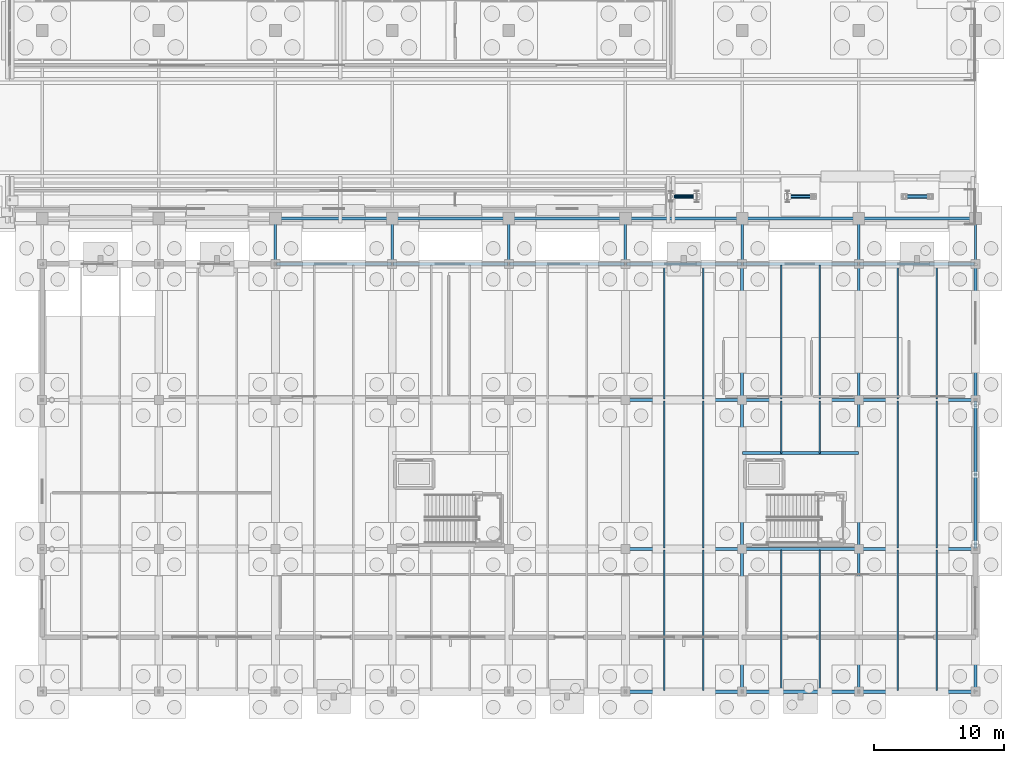
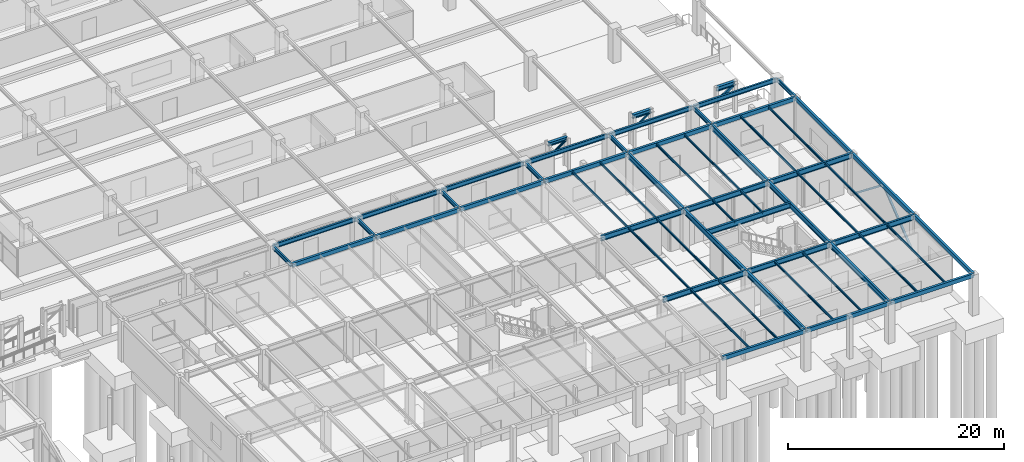
# One storey, part 84 of 160: 59 beams, 5 members.
"""IFC4 building model written with IfcOpenShell, lengths in metres."""

from ifc_helpers import new_model, si_unit, direction, frame, origin, origin_2d, place, context, subcontext, project, spatial, hollow_rectangle, hollow_circle, i_section, extrude, material, material_profile, profile_set, type_object, element, save


model = new_model("IFC4")

# Units and contexts
model_context = context("Model", 3, precision=1e-05, world=origin(), true_north=direction((0.0, 1.0)))
body_context = subcontext(model_context, "Body", "Model", "MODEL_VIEW")
ifc_project = project(units=[si_unit("LENGTHUNIT", "METRE"), si_unit("AREAUNIT", "SQUARE_METRE"), si_unit("VOLUMEUNIT", "CUBIC_METRE"), si_unit("PLANEANGLEUNIT", "RADIAN"), si_unit("MASSUNIT", "GRAM", prefix="KILO")], contexts=[model_context])

# Site, building, storey
site_placement = place(None, origin())
site = spatial("IfcSite", under=ifc_project, at=site_placement, CompositionType="ELEMENT")
building_placement = place(site_placement, origin())
building = spatial("IfcBuilding", under=site, at=building_placement, Name="Marlcrest Central Station", CompositionType="ELEMENT")
storey_placement = place(building_placement, origin())
storey = spatial("IfcBuildingStorey", under=building, at=storey_placement, Name="L00", CompositionType="ELEMENT", Elevation=0.0)

# Members
ifc_material = material(Name="Steel S355", Category="steel")
ifc_material_profile_1 = material_profile(ifc_material, hollow_rectangle(XDim=0.199951171875, YDim=0.199951171875, WallThickness=0.010009765625, at=origin_2d()), Name="SHS 200x200x10")
ifc_profile_set_1 = profile_set([ifc_material_profile_1], Name="Steel S355")
member_type_1 = type_object("IfcMemberType", Name="BF-01", PredefinedType="BRACE", material=ifc_profile_set_1)
for number, where, z_axis, x_axis, name in (
    (1, (216.0, 11.39990234375, 0.199951171875), (0.0, 0.786216241749, 0.617951471565), (-1.0, 0.0, 0.0), "mem-BF-01-L00-00013"),
    (2, (216.0, 22.10009765625, 0.199951171875), (0.0, -0.786216241749, 0.617951471565), (1.0, 0.0, 0.0), "mem-BF-01-L00-00014"),
):
    element("IfcMember", number, at=place(storey_placement, frame(where, z_axis=z_axis, x_axis=x_axis)), inside=storey, type_object=member_type_1, Name=name, PredefinedType="BRACE", context=body_context, shape_type="SweptSolid", body=[
        extrude(hollow_rectangle(XDim=0.199951171875, YDim=0.199951171875, WallThickness=0.010009765625, at=origin_2d()), origin(), (0.0, 0.0, 1.0), 6.804931640625),
    ])
ifc_material_profile_2 = material_profile(ifc_material, hollow_rectangle(XDim=0.14990234375, YDim=0.14990234375, WallThickness=0.008056640625, at=origin_2d()), Name="SHS 150x150x8")
ifc_profile_set_2 = profile_set([ifc_material_profile_2], Name="Steel S355")
member_type_2 = type_object("IfcMemberType", Name="BF-05", PredefinedType="BRACE", material=ifc_profile_set_2)
member_1_placement = place(storey_placement, frame((201.5, 38.199951171875, 2.699951171875), z_axis=(0.819203731481, 0.0, 0.57350261231), x_axis=(0.0, 1.0, 0.0)))
element("IfcMember", 3, at=member_1_placement, inside=storey, type_object=member_type_2, Name="mem-BF-05-L00-02558", PredefinedType="BRACE", context=body_context, shape_type="SweptSolid", body=[
    extrude(hollow_rectangle(XDim=0.14990234375, YDim=0.14990234375, WallThickness=0.008056640625, at=origin_2d()), origin(), (0.0, 0.0, 1.0), 2.44140625),
])
ifc_material_profile_3 = material_profile(ifc_material, hollow_rectangle(XDim=0.219970703125, YDim=0.219970703125, WallThickness=0.012451171875, at=origin_2d()), Name="SHS 220x220x12.5")
ifc_profile_set_3 = profile_set([ifc_material_profile_3], Name="Steel S355")
member_type_3 = type_object("IfcMemberType", Name="BF-06", PredefinedType="BRACE", material=ifc_profile_set_3)
member_2_placement = place(storey_placement, frame((210.5, 38.199951171875, 2.699951171875), z_axis=(0.819203731481, 0.0, 0.57350261231), x_axis=(0.0, 1.0, 0.0)))
element("IfcMember", 4, at=member_2_placement, inside=storey, type_object=member_type_3, Name="mem-BF-06-L00-02560", PredefinedType="BRACE", context=body_context, shape_type="SweptSolid", body=[
    extrude(hollow_rectangle(XDim=0.219970703125, YDim=0.219970703125, WallThickness=0.012451171875, at=origin_2d()), origin(), (0.0, 0.0, 1.0), 2.44140625),
])
ifc_material_profile_4 = material_profile(ifc_material, hollow_circle(Radius=0.122314453125, WallThickness=0.012451171875, at=origin_2d()), Name="CHS 244.5x12.5")
ifc_profile_set_4 = profile_set([ifc_material_profile_4], Name="Steel S355")
member_type_4 = type_object("IfcMemberType", Name="BF-09", PredefinedType="BRACE", material=ifc_profile_set_4)
member_3_placement = place(storey_placement, frame((192.5, 38.199951171875, 2.699951171875), z_axis=(0.819203731481, 0.0, 0.57350261231), x_axis=(0.0, 1.0, 0.0)))
element("IfcMember", 5, at=member_3_placement, inside=storey, type_object=member_type_4, Name="mem-BF-09-L00-02556", PredefinedType="BRACE", context=body_context, shape_type="SweptSolid", body=[
    extrude(hollow_circle(Radius=0.122314453125, WallThickness=0.012451171875, at=origin_2d()), origin(), (0.0, 0.0, 1.0), 2.44140625),
])

# Beams
ifc_material_profile_5 = material_profile(ifc_material, i_section(OverallWidth=0.18994140625, OverallDepth=0.449951171875, WebThickness=0.009521484375, FlangeThickness=0.0146484375, FilletRadius=0.02099609375, at=origin_2d()), Name="IPE 450")
ifc_profile_set_5 = profile_set([ifc_material_profile_5], Name="Steel S355")
beam_type_1 = type_object("IfcBeamType", Name="BM-04", PredefinedType="BEAM", material=ifc_profile_set_5)
for number, where, z_axis, x_axis, name in (
    (6, (162.0, 33.050048828125, 4.385009765625), (0.0, 1.0, 0.0), (-1.0, 0.0, 0.0), "bm-BM-04-L00-01105"),
    (7, (171.0, 33.050048828125, 4.385009765625), (0.0, 1.0, 0.0), (-1.0, 0.0, 0.0), "bm-BM-04-L00-01110"),
    (8, (180.0, 33.050048828125, 4.385009765625), (0.0, 1.0, 0.0), (-1.0, 0.0, 0.0), "bm-BM-04-L00-01115"),
    (9, (189.0, 33.050048828125, 4.385009765625), (0.0, 1.0, 0.0), (-1.0, 0.0, 0.0), "bm-BM-04-L00-01120"),
    (10, (198.0, 33.050048828125, 4.385009765625), (0.0, 1.0, 0.0), (-1.0, 0.0, 0.0), "bm-BM-04-L00-01125"),
    (11, (207.0, 33.050048828125, 4.385009765625), (0.0, 1.0, 0.0), (-1.0, 0.0, 0.0), "bm-BM-04-L00-01130"),
    (12, (216.0, 33.050048828125, 4.385009765625), (0.0, 1.0, 0.0), (-1.0, 0.0, 0.0), "bm-BM-04-L00-01135"),
):
    element("IfcBeam", number, at=place(storey_placement, frame(where, z_axis=z_axis, x_axis=x_axis)), inside=storey, type_object=beam_type_1, Name=name, PredefinedType="BEAM", context=body_context, shape_type="SweptSolid", body=[
        extrude(i_section(OverallWidth=0.18994140625, OverallDepth=0.449951171875, WebThickness=0.009521484375, FlangeThickness=0.0146484375, FilletRadius=0.02099609375, at=origin_2d()), origin(), (0.0, 0.0, 1.0), 3.39990234375),
    ])
ifc_material_profile_6 = material_profile(ifc_material, i_section(OverallWidth=0.199951171875, OverallDepth=0.5, WebThickness=0.01025390625, FlangeThickness=0.01611328125, FilletRadius=0.02099609375, at=origin_2d()), Name="IPE 500")
ifc_profile_set_6 = profile_set([ifc_material_profile_6], Name="Steel S355")
beam_type_2 = type_object("IfcBeamType", Name="BM-05", PredefinedType="BEAM", material=ifc_profile_set_6)
for number, where, z_axis, x_axis, name in (
    (13, (162.050048828125, 36.5, 4.360107421875), (1.0, 0.0, 0.0), (0.0, 1.0, 0.0), "bm-BM-05-L00-01107"),
    (14, (171.050048828125, 36.5, 4.360107421875), (1.0, 0.0, 0.0), (0.0, 1.0, 0.0), "bm-BM-05-L00-01112"),
    (15, (180.050048828125, 36.5, 4.360107421875), (1.0, 0.0, 0.0), (0.0, 1.0, 0.0), "bm-BM-05-L00-01117"),
    (16, (189.050048828125, 36.5, 4.360107421875), (1.0, 0.0, 0.0), (0.0, 1.0, 0.0), "bm-BM-05-L00-01122"),
    (17, (198.050048828125, 36.5, 4.360107421875), (1.0, 0.0, 0.0), (0.0, 1.0, 0.0), "bm-BM-05-L00-01127"),
    (18, (207.050048828125, 36.5, 4.360107421875), (1.0, 0.0, 0.0), (0.0, 1.0, 0.0), "bm-BM-05-L00-01132"),
):
    element("IfcBeam", number, at=place(storey_placement, frame(where, z_axis=z_axis, x_axis=x_axis)), inside=storey, type_object=beam_type_2, Name=name, PredefinedType="BEAM", context=body_context, shape_type="SweptSolid", body=[
        extrude(i_section(OverallWidth=0.199951171875, OverallDepth=0.5, WebThickness=0.01025390625, FlangeThickness=0.01611328125, FilletRadius=0.02099609375, at=origin_2d()), origin(), (0.0, 0.0, 1.0), 8.89990234375),
    ])
ifc_material_profile_7 = material_profile(ifc_material, i_section(OverallWidth=0.219970703125, OverallDepth=0.60009765625, WebThickness=0.011962890625, FlangeThickness=0.01904296875, FilletRadius=0.02392578125, at=origin_2d()), Name="IPE 600")
ifc_profile_set_7 = profile_set([ifc_material_profile_7], Name="Steel S355")
beam_type_3 = type_object("IfcBeamType", Name="BM-07", PredefinedType="BEAM", material=ifc_profile_set_7)
for number, where, z_axis, x_axis, name in (
    (19, (189.06005859375, 11.0, 4.304931640625), (1.0, 0.0, 0.0), (0.0, 1.0, 0.0), "bm-BM-07-L00-00763"),
    (20, (198.06005859375, 11.0, 4.304931640625), (1.0, 0.0, 0.0), (0.0, 1.0, 0.0), "bm-BM-07-L00-00764"),
    (21, (207.06005859375, 11.0, 4.304931640625), (1.0, 0.0, 0.0), (0.0, 1.0, 0.0), "bm-BM-07-L00-00765"),
    (22, (189.06005859375, 22.5, 4.304931640625), (1.0, 0.0, 0.0), (0.0, 1.0, 0.0), "bm-BM-07-L00-00771"),
    (23, (198.06005859375, 22.5, 4.304931640625), (1.0, 0.0, 0.0), (0.0, 1.0, 0.0), "bm-BM-07-L00-00772"),
    (24, (207.06005859375, 22.5, 4.304931640625), (1.0, 0.0, 0.0), (0.0, 1.0, 0.0), "bm-BM-07-L00-00773"),
):
    element("IfcBeam", number, at=place(storey_placement, frame(where, z_axis=z_axis, x_axis=x_axis)), inside=storey, type_object=beam_type_3, Name=name, PredefinedType="BEAM", context=body_context, shape_type="SweptSolid", body=[
        extrude(i_section(OverallWidth=0.219970703125, OverallDepth=0.60009765625, WebThickness=0.011962890625, FlangeThickness=0.01904296875, FilletRadius=0.02392578125, at=origin_2d()), origin(), (0.0, 0.0, 1.0), 8.8798828125),
    ])
beam_1_placement = place(storey_placement, frame((198.0, 0.06005859375, 4.304931640625), z_axis=(0.0, 1.0, 0.0), x_axis=(-1.0, 0.0, 0.0)))
element("IfcBeam", 25, at=beam_1_placement, inside=storey, type_object=beam_type_3, Name="bm-BM-07-L00-00800", PredefinedType="BEAM", context=body_context, shape_type="SweptSolid", body=[
    extrude(i_section(OverallWidth=0.219970703125, OverallDepth=0.60009765625, WebThickness=0.011962890625, FlangeThickness=0.01904296875, FilletRadius=0.02392578125, at=origin_2d()), origin(), (0.0, 0.0, 1.0), 10.8798828125),
])
beam_2_placement = place(storey_placement, frame((198.0, 11.06005859375, 4.304931640625), z_axis=(0.0, 1.0, 0.0), x_axis=(-1.0, 0.0, 0.0)))
element("IfcBeam", 26, at=beam_2_placement, inside=storey, type_object=beam_type_3, Name="bm-BM-07-L00-00801", PredefinedType="BEAM", context=body_context, shape_type="SweptSolid", body=[
    extrude(i_section(OverallWidth=0.219970703125, OverallDepth=0.60009765625, WebThickness=0.011962890625, FlangeThickness=0.01904296875, FilletRadius=0.02392578125, at=origin_2d()), origin(), (0.0, 0.0, 1.0), 11.3798828125),
])
beam_3_placement = place(storey_placement, frame((198.0, 22.56005859375, 4.304931640625), z_axis=(0.0, 1.0, 0.0), x_axis=(-1.0, 0.0, 0.0)))
element("IfcBeam", 27, at=beam_3_placement, inside=storey, type_object=beam_type_3, Name="bm-BM-07-L00-00802", PredefinedType="BEAM", context=body_context, shape_type="SweptSolid", body=[
    extrude(i_section(OverallWidth=0.219970703125, OverallDepth=0.60009765625, WebThickness=0.011962890625, FlangeThickness=0.01904296875, FilletRadius=0.02392578125, at=origin_2d()), origin(), (0.0, 0.0, 1.0), 10.3798828125),
])
beam_4_placement = place(storey_placement, frame((207.0, 0.06005859375, 4.304931640625), z_axis=(0.0, 1.0, 0.0), x_axis=(-1.0, 0.0, 0.0)))
element("IfcBeam", 28, at=beam_4_placement, inside=storey, type_object=beam_type_3, Name="bm-BM-07-L00-00803", PredefinedType="BEAM", context=body_context, shape_type="SweptSolid", body=[
    extrude(i_section(OverallWidth=0.219970703125, OverallDepth=0.60009765625, WebThickness=0.011962890625, FlangeThickness=0.01904296875, FilletRadius=0.02392578125, at=origin_2d()), origin(), (0.0, 0.0, 1.0), 10.8798828125),
])
beam_5_placement = place(storey_placement, frame((207.0, 11.06005859375, 4.304931640625), z_axis=(0.0, 1.0, 0.0), x_axis=(-1.0, 0.0, 0.0)))
element("IfcBeam", 29, at=beam_5_placement, inside=storey, type_object=beam_type_3, Name="bm-BM-07-L00-00804", PredefinedType="BEAM", context=body_context, shape_type="SweptSolid", body=[
    extrude(i_section(OverallWidth=0.219970703125, OverallDepth=0.60009765625, WebThickness=0.011962890625, FlangeThickness=0.01904296875, FilletRadius=0.02392578125, at=origin_2d()), origin(), (0.0, 0.0, 1.0), 11.3798828125),
])
beam_6_placement = place(storey_placement, frame((207.0, 22.56005859375, 4.304931640625), z_axis=(0.0, 1.0, 0.0), x_axis=(-1.0, 0.0, 0.0)))
element("IfcBeam", 30, at=beam_6_placement, inside=storey, type_object=beam_type_3, Name="bm-BM-07-L00-00805", PredefinedType="BEAM", context=body_context, shape_type="SweptSolid", body=[
    extrude(i_section(OverallWidth=0.219970703125, OverallDepth=0.60009765625, WebThickness=0.011962890625, FlangeThickness=0.01904296875, FilletRadius=0.02392578125, at=origin_2d()), origin(), (0.0, 0.0, 1.0), 10.3798828125),
])
beam_7_placement = place(storey_placement, frame((198.0400390625, 18.39990234375, 4.304931640625), z_axis=(1.0, 0.0, 0.0), x_axis=(0.0, 1.0, 0.0)))
element("IfcBeam", 31, at=beam_7_placement, inside=storey, type_object=beam_type_3, Name="bm-BM-07-L00-00858", PredefinedType="BEAM", context=body_context, shape_type="SweptSolid", body=[
    extrude(i_section(OverallWidth=0.219970703125, OverallDepth=0.60009765625, WebThickness=0.011962890625, FlangeThickness=0.01904296875, FilletRadius=0.02392578125, at=origin_2d()), origin(), (0.0, 0.0, 1.0), 8.919921875),
])
ifc_material_profile_8 = material_profile(ifc_material, i_section(OverallWidth=0.300048828125, OverallDepth=0.39990234375, WebThickness=0.013427734375, FlangeThickness=0.02392578125, FilletRadius=0.027099609375, at=origin_2d()), Name="HEB 400")
ifc_profile_set_8 = profile_set([ifc_material_profile_8], Name="Steel S355")
beam_type_4 = type_object("IfcBeamType", Name="BM-17", PredefinedType="BEAM", material=ifc_profile_set_8)
beam_8_placement = place(storey_placement, frame((192.5, 38.199951171875, 4.25), z_axis=(1.0, 0.0, 0.0), x_axis=(0.0, 1.0, 0.0)))
element("IfcBeam", 32, at=beam_8_placement, inside=storey, type_object=beam_type_4, Name="bm-BM-17-L00-01560", PredefinedType="BEAM", context=body_context, shape_type="SweptSolid", body=[
    extrude(i_section(OverallWidth=0.300048828125, OverallDepth=0.39990234375, WebThickness=0.013427734375, FlangeThickness=0.02392578125, FilletRadius=0.027099609375, at=origin_2d()), origin(), (0.0, 0.0, 1.0), 2.0),
])
ifc_material_profile_9 = material_profile(ifc_material, i_section(OverallWidth=0.300048828125, OverallDepth=0.449951171875, WebThickness=0.013916015625, FlangeThickness=0.02587890625, FilletRadius=0.027099609375, at=origin_2d()), Name="HEB 450")
ifc_profile_set_9 = profile_set([ifc_material_profile_9], Name="Steel S355")
beam_type_5 = type_object("IfcBeamType", Name="BM-18", PredefinedType="BEAM", material=ifc_profile_set_9)
beam_9_placement = place(storey_placement, frame((201.5, 38.199951171875, 4.22509765625), z_axis=(1.0, 0.0, 0.0), x_axis=(0.0, 1.0, 0.0)))
element("IfcBeam", 33, at=beam_9_placement, inside=storey, type_object=beam_type_5, Name="bm-BM-18-L00-01562", PredefinedType="BEAM", context=body_context, shape_type="SweptSolid", body=[
    extrude(i_section(OverallWidth=0.300048828125, OverallDepth=0.449951171875, WebThickness=0.013916015625, FlangeThickness=0.02587890625, FilletRadius=0.027099609375, at=origin_2d()), origin(), (0.0, 0.0, 1.0), 2.0),
])
ifc_material_profile_10 = material_profile(ifc_material, i_section(OverallWidth=0.300048828125, OverallDepth=0.5, WebThickness=0.014404296875, FlangeThickness=0.028076171875, FilletRadius=0.027099609375, at=origin_2d()), Name="HEB 500")
ifc_profile_set_10 = profile_set([ifc_material_profile_10], Name="Steel S355")
beam_type_6 = type_object("IfcBeamType", Name="BM-19", PredefinedType="BEAM", material=ifc_profile_set_10)
beam_10_placement = place(storey_placement, frame((210.5, 38.199951171875, 4.199951171875), z_axis=(1.0, 0.0, 0.0), x_axis=(0.0, 1.0, 0.0)))
element("IfcBeam", 34, at=beam_10_placement, inside=storey, type_object=beam_type_6, Name="bm-BM-19-L00-01564", PredefinedType="BEAM", context=body_context, shape_type="SweptSolid", body=[
    extrude(i_section(OverallWidth=0.300048828125, OverallDepth=0.5, WebThickness=0.014404296875, FlangeThickness=0.028076171875, FilletRadius=0.027099609375, at=origin_2d()), origin(), (0.0, 0.0, 1.0), 2.0),
])
ifc_material_profile_11 = material_profile(ifc_material, i_section(OverallWidth=0.1201171875, OverallDepth=0.239990234375, WebThickness=0.006103515625, FlangeThickness=0.009765625, FilletRadius=0.014892578125, at=origin_2d()), Name="IPE 240")
ifc_profile_set_11 = profile_set([ifc_material_profile_11], Name="Steel S355")
beam_type_7 = type_object("IfcBeamType", Name="JS-03", PredefinedType="JOIST", material=ifc_profile_set_11)
beam_11_placement = place(storey_placement, frame((192.0, 0.0830078125, 4.485107421875), z_axis=(0.0, 1.0, 0.0), x_axis=(-1.0, 0.0, 0.0)))
element("IfcBeam", 35, at=beam_11_placement, inside=storey, type_object=beam_type_7, Name="bm-JS-03-L00-00839", PredefinedType="JOIST", context=body_context, shape_type="SweptSolid", body=[
    extrude(i_section(OverallWidth=0.1201171875, OverallDepth=0.239990234375, WebThickness=0.006103515625, FlangeThickness=0.009765625, FilletRadius=0.014892578125, at=origin_2d()), origin(), (0.0, 0.0, 1.0), 10.833984375),
])
beam_12_placement = place(storey_placement, frame((192.0, 11.0830078125, 4.485107421875), z_axis=(0.0, 1.0, 0.0), x_axis=(-1.0, 0.0, 0.0)))
element("IfcBeam", 36, at=beam_12_placement, inside=storey, type_object=beam_type_7, Name="bm-JS-03-L00-00840", PredefinedType="JOIST", context=body_context, shape_type="SweptSolid", body=[
    extrude(i_section(OverallWidth=0.1201171875, OverallDepth=0.239990234375, WebThickness=0.006103515625, FlangeThickness=0.009765625, FilletRadius=0.014892578125, at=origin_2d()), origin(), (0.0, 0.0, 1.0), 11.333984375),
])
beam_13_placement = place(storey_placement, frame((192.0, 22.5830078125, 4.485107421875), z_axis=(0.0, 1.0, 0.0), x_axis=(-1.0, 0.0, 0.0)))
element("IfcBeam", 37, at=beam_13_placement, inside=storey, type_object=beam_type_7, Name="bm-JS-03-L00-00841", PredefinedType="JOIST", context=body_context, shape_type="SweptSolid", body=[
    extrude(i_section(OverallWidth=0.1201171875, OverallDepth=0.239990234375, WebThickness=0.006103515625, FlangeThickness=0.009765625, FilletRadius=0.014892578125, at=origin_2d()), origin(), (0.0, 0.0, 1.0), 10.333984375),
])
beam_14_placement = place(storey_placement, frame((195.0, 0.0830078125, 4.485107421875), z_axis=(0.0, 1.0, 0.0), x_axis=(-1.0, 0.0, 0.0)))
element("IfcBeam", 38, at=beam_14_placement, inside=storey, type_object=beam_type_7, Name="bm-JS-03-L00-00842", PredefinedType="JOIST", context=body_context, shape_type="SweptSolid", body=[
    extrude(i_section(OverallWidth=0.1201171875, OverallDepth=0.239990234375, WebThickness=0.006103515625, FlangeThickness=0.009765625, FilletRadius=0.014892578125, at=origin_2d()), origin(), (0.0, 0.0, 1.0), 10.833984375),
])
beam_15_placement = place(storey_placement, frame((195.0, 11.0830078125, 4.485107421875), z_axis=(0.0, 1.0, 0.0), x_axis=(-1.0, 0.0, 0.0)))
element("IfcBeam", 39, at=beam_15_placement, inside=storey, type_object=beam_type_7, Name="bm-JS-03-L00-00843", PredefinedType="JOIST", context=body_context, shape_type="SweptSolid", body=[
    extrude(i_section(OverallWidth=0.1201171875, OverallDepth=0.239990234375, WebThickness=0.006103515625, FlangeThickness=0.009765625, FilletRadius=0.014892578125, at=origin_2d()), origin(), (0.0, 0.0, 1.0), 11.333984375),
])
beam_16_placement = place(storey_placement, frame((195.0, 22.5830078125, 4.485107421875), z_axis=(0.0, 1.0, 0.0), x_axis=(-1.0, 0.0, 0.0)))
element("IfcBeam", 40, at=beam_16_placement, inside=storey, type_object=beam_type_7, Name="bm-JS-03-L00-00844", PredefinedType="JOIST", context=body_context, shape_type="SweptSolid", body=[
    extrude(i_section(OverallWidth=0.1201171875, OverallDepth=0.239990234375, WebThickness=0.006103515625, FlangeThickness=0.009765625, FilletRadius=0.014892578125, at=origin_2d()), origin(), (0.0, 0.0, 1.0), 10.333984375),
])
beam_17_placement = place(storey_placement, frame((201.0, 0.0830078125, 4.485107421875), z_axis=(0.0, 1.0, 0.0), x_axis=(-1.0, 0.0, 0.0)))
element("IfcBeam", 41, at=beam_17_placement, inside=storey, type_object=beam_type_7, Name="bm-JS-03-L00-00845", PredefinedType="JOIST", context=body_context, shape_type="SweptSolid", body=[
    extrude(i_section(OverallWidth=0.1201171875, OverallDepth=0.239990234375, WebThickness=0.006103515625, FlangeThickness=0.009765625, FilletRadius=0.014892578125, at=origin_2d()), origin(), (0.0, 0.0, 1.0), 10.833984375),
])
beam_18_placement = place(storey_placement, frame((201.0, 18.360107421875, 4.485107421875), z_axis=(0.0, 1.0, 0.0), x_axis=(-1.0, 0.0, 0.0)))
element("IfcBeam", 42, at=beam_18_placement, inside=storey, type_object=beam_type_7, Name="bm-JS-03-L00-00846", PredefinedType="JOIST", context=body_context, shape_type="SweptSolid", body=[
    extrude(i_section(OverallWidth=0.1201171875, OverallDepth=0.239990234375, WebThickness=0.006103515625, FlangeThickness=0.009765625, FilletRadius=0.014892578125, at=origin_2d()), origin(), (0.0, 0.0, 1.0), 4.056884765625),
])
beam_19_placement = place(storey_placement, frame((201.0, 22.5830078125, 4.485107421875), z_axis=(0.0, 1.0, 0.0), x_axis=(-1.0, 0.0, 0.0)))
element("IfcBeam", 43, at=beam_19_placement, inside=storey, type_object=beam_type_7, Name="bm-JS-03-L00-00847", PredefinedType="JOIST", context=body_context, shape_type="SweptSolid", body=[
    extrude(i_section(OverallWidth=0.1201171875, OverallDepth=0.239990234375, WebThickness=0.006103515625, FlangeThickness=0.009765625, FilletRadius=0.014892578125, at=origin_2d()), origin(), (0.0, 0.0, 1.0), 10.333984375),
])
beam_20_placement = place(storey_placement, frame((204.0, 0.0830078125, 4.485107421875), z_axis=(0.0, 1.0, 0.0), x_axis=(-1.0, 0.0, 0.0)))
element("IfcBeam", 44, at=beam_20_placement, inside=storey, type_object=beam_type_7, Name="bm-JS-03-L00-00848", PredefinedType="JOIST", context=body_context, shape_type="SweptSolid", body=[
    extrude(i_section(OverallWidth=0.1201171875, OverallDepth=0.239990234375, WebThickness=0.006103515625, FlangeThickness=0.009765625, FilletRadius=0.014892578125, at=origin_2d()), origin(), (0.0, 0.0, 1.0), 10.833984375),
])
beam_21_placement = place(storey_placement, frame((204.0, 18.360107421875, 4.485107421875), z_axis=(0.0, 1.0, 0.0), x_axis=(-1.0, 0.0, 0.0)))
element("IfcBeam", 45, at=beam_21_placement, inside=storey, type_object=beam_type_7, Name="bm-JS-03-L00-00849", PredefinedType="JOIST", context=body_context, shape_type="SweptSolid", body=[
    extrude(i_section(OverallWidth=0.1201171875, OverallDepth=0.239990234375, WebThickness=0.006103515625, FlangeThickness=0.009765625, FilletRadius=0.014892578125, at=origin_2d()), origin(), (0.0, 0.0, 1.0), 4.056884765625),
])
beam_22_placement = place(storey_placement, frame((204.0, 22.5830078125, 4.485107421875), z_axis=(0.0, 1.0, 0.0), x_axis=(-1.0, 0.0, 0.0)))
element("IfcBeam", 46, at=beam_22_placement, inside=storey, type_object=beam_type_7, Name="bm-JS-03-L00-00850", PredefinedType="JOIST", context=body_context, shape_type="SweptSolid", body=[
    extrude(i_section(OverallWidth=0.1201171875, OverallDepth=0.239990234375, WebThickness=0.006103515625, FlangeThickness=0.009765625, FilletRadius=0.014892578125, at=origin_2d()), origin(), (0.0, 0.0, 1.0), 10.333984375),
])
beam_23_placement = place(storey_placement, frame((210.0, 0.0830078125, 4.485107421875), z_axis=(0.0, 1.0, 0.0), x_axis=(-1.0, 0.0, 0.0)))
element("IfcBeam", 47, at=beam_23_placement, inside=storey, type_object=beam_type_7, Name="bm-JS-03-L00-00851", PredefinedType="JOIST", context=body_context, shape_type="SweptSolid", body=[
    extrude(i_section(OverallWidth=0.1201171875, OverallDepth=0.239990234375, WebThickness=0.006103515625, FlangeThickness=0.009765625, FilletRadius=0.014892578125, at=origin_2d()), origin(), (0.0, 0.0, 1.0), 10.833984375),
])
beam_24_placement = place(storey_placement, frame((210.0, 11.0830078125, 4.485107421875), z_axis=(0.0, 1.0, 0.0), x_axis=(-1.0, 0.0, 0.0)))
element("IfcBeam", 48, at=beam_24_placement, inside=storey, type_object=beam_type_7, Name="bm-JS-03-L00-00852", PredefinedType="JOIST", context=body_context, shape_type="SweptSolid", body=[
    extrude(i_section(OverallWidth=0.1201171875, OverallDepth=0.239990234375, WebThickness=0.006103515625, FlangeThickness=0.009765625, FilletRadius=0.014892578125, at=origin_2d()), origin(), (0.0, 0.0, 1.0), 11.333984375),
])
beam_25_placement = place(storey_placement, frame((210.0, 22.5830078125, 4.485107421875), z_axis=(0.0, 1.0, 0.0), x_axis=(-1.0, 0.0, 0.0)))
element("IfcBeam", 49, at=beam_25_placement, inside=storey, type_object=beam_type_7, Name="bm-JS-03-L00-00853", PredefinedType="JOIST", context=body_context, shape_type="SweptSolid", body=[
    extrude(i_section(OverallWidth=0.1201171875, OverallDepth=0.239990234375, WebThickness=0.006103515625, FlangeThickness=0.009765625, FilletRadius=0.014892578125, at=origin_2d()), origin(), (0.0, 0.0, 1.0), 10.333984375),
])
beam_26_placement = place(storey_placement, frame((213.0, 0.0830078125, 4.485107421875), z_axis=(0.0, 1.0, 0.0), x_axis=(-1.0, 0.0, 0.0)))
element("IfcBeam", 50, at=beam_26_placement, inside=storey, type_object=beam_type_7, Name="bm-JS-03-L00-00854", PredefinedType="JOIST", context=body_context, shape_type="SweptSolid", body=[
    extrude(i_section(OverallWidth=0.1201171875, OverallDepth=0.239990234375, WebThickness=0.006103515625, FlangeThickness=0.009765625, FilletRadius=0.014892578125, at=origin_2d()), origin(), (0.0, 0.0, 1.0), 10.833984375),
])
beam_27_placement = place(storey_placement, frame((213.0, 11.0830078125, 4.485107421875), z_axis=(0.0, 1.0, 0.0), x_axis=(-1.0, 0.0, 0.0)))
element("IfcBeam", 51, at=beam_27_placement, inside=storey, type_object=beam_type_7, Name="bm-JS-03-L00-00855", PredefinedType="JOIST", context=body_context, shape_type="SweptSolid", body=[
    extrude(i_section(OverallWidth=0.1201171875, OverallDepth=0.239990234375, WebThickness=0.006103515625, FlangeThickness=0.009765625, FilletRadius=0.014892578125, at=origin_2d()), origin(), (0.0, 0.0, 1.0), 11.333984375),
])
beam_28_placement = place(storey_placement, frame((213.0, 22.5830078125, 4.485107421875), z_axis=(0.0, 1.0, 0.0), x_axis=(-1.0, 0.0, 0.0)))
element("IfcBeam", 52, at=beam_28_placement, inside=storey, type_object=beam_type_7, Name="bm-JS-03-L00-00856", PredefinedType="JOIST", context=body_context, shape_type="SweptSolid", body=[
    extrude(i_section(OverallWidth=0.1201171875, OverallDepth=0.239990234375, WebThickness=0.006103515625, FlangeThickness=0.009765625, FilletRadius=0.014892578125, at=origin_2d()), origin(), (0.0, 0.0, 1.0), 10.333984375),
])
ifc_material_profile_12 = material_profile(ifc_material, hollow_rectangle(XDim=0.25, YDim=0.449951171875, WallThickness=0.01611328125, at=origin_2d()), Name="RHS 450x250x16")
ifc_profile_set_12 = profile_set([ifc_material_profile_12], Name="Steel S355")
beam_type_8 = type_object("IfcBeamType", Name="SP-02", PredefinedType="SPANDREL", material=ifc_profile_set_12)
for number, where, z_axis, x_axis, name in (
    (53, (189.06005859375, 0.0, 4.3798828125), (1.0, 0.0, 0.0), (0.0, 1.0, 0.0), "bm-SP-02-L00-00755"),
    (54, (198.06005859375, 0.0, 4.3798828125), (1.0, 0.0, 0.0), (0.0, 1.0, 0.0), "bm-SP-02-L00-00756"),
    (55, (207.06005859375, 0.0, 4.3798828125), (1.0, 0.0, 0.0), (0.0, 1.0, 0.0), "bm-SP-02-L00-00757"),
    (56, (162.06005859375, 33.0, 4.3798828125), (1.0, 0.0, 0.0), (0.0, 1.0, 0.0), "bm-SP-02-L00-00776"),
    (57, (171.06005859375, 33.0, 4.3798828125), (1.0, 0.0, 0.0), (0.0, 1.0, 0.0), "bm-SP-02-L00-00777"),
    (58, (180.06005859375, 33.0, 4.3798828125), (1.0, 0.0, 0.0), (0.0, 1.0, 0.0), "bm-SP-02-L00-00778"),
    (59, (189.06005859375, 33.0, 4.3798828125), (1.0, 0.0, 0.0), (0.0, 1.0, 0.0), "bm-SP-02-L00-00779"),
    (60, (198.06005859375, 33.0, 4.3798828125), (1.0, 0.0, 0.0), (0.0, 1.0, 0.0), "bm-SP-02-L00-00780"),
    (61, (207.06005859375, 33.0, 4.3798828125), (1.0, 0.0, 0.0), (0.0, 1.0, 0.0), "bm-SP-02-L00-00781"),
):
    element("IfcBeam", number, at=place(storey_placement, frame(where, z_axis=z_axis, x_axis=x_axis)), inside=storey, type_object=beam_type_8, Name=name, PredefinedType="SPANDREL", context=body_context, shape_type="SweptSolid", body=[
        extrude(hollow_rectangle(XDim=0.25, YDim=0.449951171875, WallThickness=0.01611328125, at=origin_2d()), origin(), (0.0, 0.0, 1.0), 8.8798828125),
    ])
beam_29_placement = place(storey_placement, frame((216.0, 0.06005859375, 4.3798828125), z_axis=(0.0, 1.0, 0.0), x_axis=(-1.0, 0.0, 0.0)))
element("IfcBeam", 62, at=beam_29_placement, inside=storey, type_object=beam_type_8, Name="bm-SP-02-L00-00806", PredefinedType="SPANDREL", context=body_context, shape_type="SweptSolid", body=[
    extrude(hollow_rectangle(XDim=0.25, YDim=0.449951171875, WallThickness=0.01611328125, at=origin_2d()), origin(), (0.0, 0.0, 1.0), 10.8798828125),
])
beam_30_placement = place(storey_placement, frame((216.0, 11.06005859375, 4.3798828125), z_axis=(0.0, 1.0, 0.0), x_axis=(-1.0, 0.0, 0.0)))
element("IfcBeam", 63, at=beam_30_placement, inside=storey, type_object=beam_type_8, Name="bm-SP-02-L00-00807", PredefinedType="SPANDREL", context=body_context, shape_type="SweptSolid", body=[
    extrude(hollow_rectangle(XDim=0.25, YDim=0.449951171875, WallThickness=0.01611328125, at=origin_2d()), origin(), (0.0, 0.0, 1.0), 11.3798828125),
])
beam_31_placement = place(storey_placement, frame((216.0, 22.56005859375, 4.3798828125), z_axis=(0.0, 1.0, 0.0), x_axis=(-1.0, 0.0, 0.0)))
element("IfcBeam", 64, at=beam_31_placement, inside=storey, type_object=beam_type_8, Name="bm-SP-02-L00-00808", PredefinedType="SPANDREL", context=body_context, shape_type="SweptSolid", body=[
    extrude(hollow_rectangle(XDim=0.25, YDim=0.449951171875, WallThickness=0.01611328125, at=origin_2d()), origin(), (0.0, 0.0, 1.0), 10.3798828125),
])

save(model, "model.ifc")
